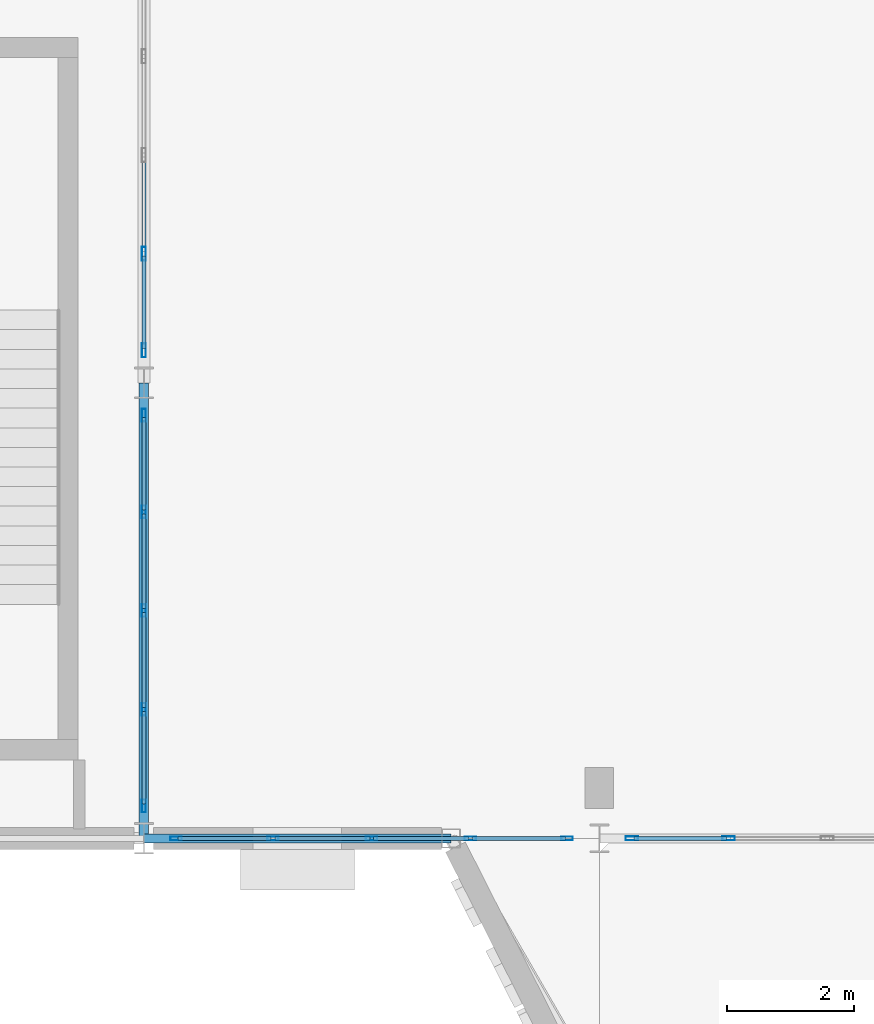
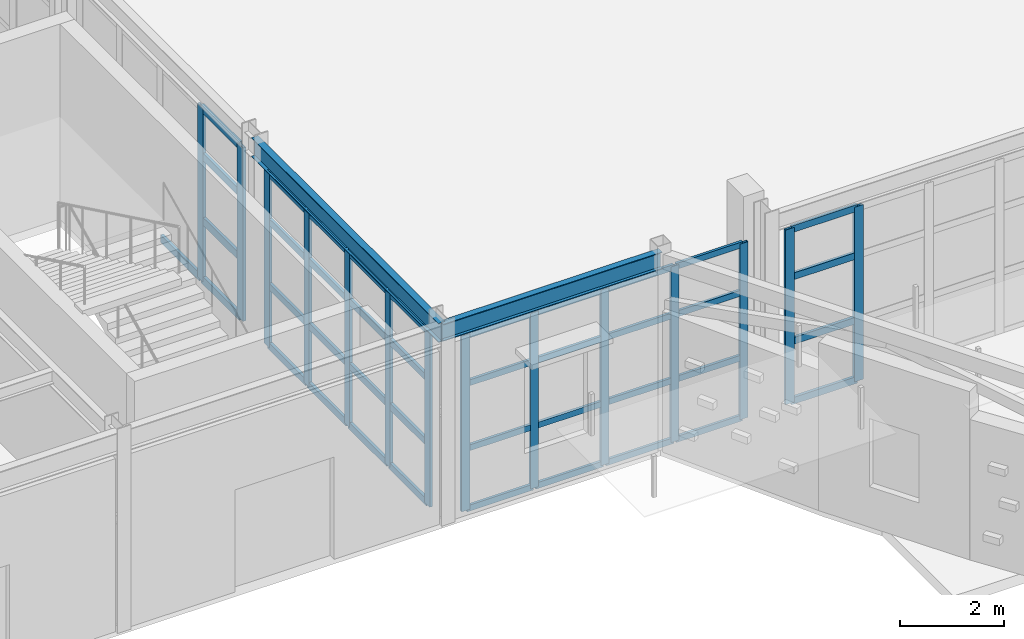
# One storey, part 19 of 83: 55 members, 2 beams, 4 elements without a shape of their own.
"""IFC4 building model written with IfcOpenShell, lengths in metres."""

from ifc_helpers import new_model, si_unit, direction, frame, origin, origin_2d, place, context, subcontext, project, spatial, hollow_rectangle, i_section, extrude, material, layer, layer_set, material_profile, profile_set, type_object, element, aggregate, save


model = new_model("IFC4")

# Units and contexts
model_context = context("Model", 3, precision=1e-05, world=origin(), true_north=direction((0.0, 1.0)))
body_context = subcontext(model_context, "Body", "Model", "MODEL_VIEW")
ifc_project = project(units=[si_unit("LENGTHUNIT", "METRE"), si_unit("AREAUNIT", "SQUARE_METRE"), si_unit("VOLUMEUNIT", "CUBIC_METRE"), si_unit("PLANEANGLEUNIT", "RADIAN"), si_unit("MASSUNIT", "GRAM", prefix="KILO")], contexts=[model_context])

# Site, building, storey
site_placement = place(None, origin())
site = spatial("IfcSite", under=ifc_project, at=site_placement, CompositionType="ELEMENT")
building_placement = place(site_placement, origin())
building = spatial("IfcBuilding", under=site, at=building_placement, Name="Solvadek Multi-Sports Hall", CompositionType="ELEMENT")
storey_placement = place(building_placement, origin())
storey = spatial("IfcBuildingStorey", under=building, at=storey_placement, Name="L00", CompositionType="ELEMENT", Elevation=0.0)

# Curtain wall, members
ifc_material_1 = material(Name="Anodised aluminium", Category="aluminium")
ifc_layer_1 = layer(ifc_material_1, 0.159912109375, Name="Anodised aluminium")
ifc_layer_set_1 = layer_set([ifc_layer_1], Name="Anodised aluminium")
curtain_wall_type_1 = type_object("IfcCurtainWallType", Name="ENV-CW-624X412", PredefinedType="USERDEFINED", material=ifc_layer_set_1)
curtain_wall_1_placement = place(storey_placement, origin())
curtain_wall_1 = element("IfcCurtainWall", 1, at=curtain_wall_1_placement, inside=storey, type_object=curtain_wall_type_1, Name="L00 Perimeter Bay Curtain Wall #152", ObjectType="CURTAIN WALL", PredefinedType="USERDEFINED")
ifc_material_profile_1 = material_profile(ifc_material_1, hollow_rectangle(XDim=0.06005859375, YDim=0.179931640625, WallThickness=0.00390625, at=origin_2d()), Name="ALU-M 180x60x4")
ifc_profile_set_1 = profile_set([ifc_material_profile_1], Name="Anodised aluminium")
member_type_1 = type_object("IfcMemberType", Name="ENV-CWM-02", PredefinedType="MULLION", material=ifc_profile_set_1)
member_1_placement = place(storey_placement, frame((22.110107421875, 20.39990234375, 0.0), z_axis=(0.0, 0.0, 1.0), x_axis=(0.0, 1.0, 0.0)))
member_1 = element("IfcMember", 2, at=member_1_placement, type_object=member_type_1, Name="CW-38 mullion 1", PredefinedType="MULLION", context=body_context, shape_type="SweptSolid", body=[
    extrude(hollow_rectangle(XDim=0.06005859375, YDim=0.179931640625, WallThickness=0.00390625, at=origin_2d()), origin(), (0.0, 0.0, 1.0), 4.125),
])
member_2_placement = place(storey_placement, frame((23.639892578125, 20.39990234375, 0.0), z_axis=(0.0, 0.0, 1.0), x_axis=(0.0, 1.0, 0.0)))
member_2 = element("IfcMember", 3, at=member_2_placement, type_object=member_type_1, Name="CW-38 mullion 2", PredefinedType="MULLION", context=body_context, shape_type="SweptSolid", body=[
    extrude(hollow_rectangle(XDim=0.06005859375, YDim=0.179931640625, WallThickness=0.00390625, at=origin_2d()), origin(), (0.0, 0.0, 1.0), 4.125),
])
member_3_placement = place(storey_placement, frame((25.199951171875, 20.39990234375, 0.0), z_axis=(0.0, 0.0, 1.0), x_axis=(0.0, 1.0, 0.0)))
member_3 = element("IfcMember", 4, at=member_3_placement, type_object=member_type_1, Name="CW-38 mullion 3", PredefinedType="MULLION", context=body_context, shape_type="SweptSolid", body=[
    extrude(hollow_rectangle(XDim=0.06005859375, YDim=0.179931640625, WallThickness=0.00390625, at=origin_2d()), origin(), (0.0, 0.0, 1.0), 4.125),
])
member_4_placement = place(storey_placement, frame((26.760009765625, 20.39990234375, 0.0), z_axis=(0.0, 0.0, 1.0), x_axis=(0.0, 1.0, 0.0)))
member_4 = element("IfcMember", 5, at=member_4_placement, type_object=member_type_1, Name="CW-38 mullion 4", PredefinedType="MULLION", context=body_context, shape_type="SweptSolid", body=[
    extrude(hollow_rectangle(XDim=0.06005859375, YDim=0.179931640625, WallThickness=0.00390625, at=origin_2d()), origin(), (0.0, 0.0, 1.0), 4.125),
])
member_5_placement = place(storey_placement, frame((28.2900390625, 20.39990234375, 0.0), z_axis=(0.0, 0.0, 1.0), x_axis=(0.0, 1.0, 0.0)))
member_5 = element("IfcMember", 6, at=member_5_placement, type_object=member_type_1, Name="CW-38 mullion 5", PredefinedType="MULLION", context=body_context, shape_type="SweptSolid", body=[
    extrude(hollow_rectangle(XDim=0.06005859375, YDim=0.179931640625, WallThickness=0.00390625, at=origin_2d()), origin(), (0.0, 0.0, 1.0), 4.125),
])

ifc_layer_2 = layer(ifc_material_1, 0.159912109375, Name="Anodised aluminium")
ifc_layer_set_2 = layer_set([ifc_layer_2], Name="Anodised aluminium")
curtain_wall_type_2 = type_object("IfcCurtainWallType", Name="ENV-CW-624X410", PredefinedType="USERDEFINED", material=ifc_layer_set_2)
curtain_wall_2_placement = place(storey_placement, origin())
curtain_wall_2 = element("IfcCurtainWall", 7, at=curtain_wall_2_placement, inside=storey, type_object=curtain_wall_type_2, Name="L00 Perimeter Bay Curtain Wall #158", ObjectType="CURTAIN WALL", PredefinedType="USERDEFINED")
ifc_material_profile_2 = material_profile(ifc_material_1, hollow_rectangle(XDim=0.06494140625, YDim=0.199951171875, WallThickness=0.0048828125, at=origin_2d()), Name="ALU-M 200x65x5")
ifc_profile_set_2 = profile_set([ifc_material_profile_2], Name="Anodised aluminium")
member_type_2 = type_object("IfcMemberType", Name="ENV-CWM-03", PredefinedType="MULLION", material=ifc_profile_set_2)
member_6_placement = place(storey_placement, frame((29.3125, 20.39990234375, 0.0), z_axis=(0.0, 0.0, 1.0), x_axis=(0.0, 1.0, 0.0)))
member_6 = element("IfcMember", 8, at=member_6_placement, type_object=member_type_2, Name="CW-39 mullion 1", PredefinedType="MULLION", context=body_context, shape_type="SweptSolid", body=[
    extrude(hollow_rectangle(XDim=0.06494140625, YDim=0.199951171875, WallThickness=0.0048828125, at=origin_2d()), origin(), (0.0, 0.0, 1.0), 4.10009765625),
])
member_7_placement = place(storey_placement, frame((30.840087890625, 20.39990234375, 0.0), z_axis=(0.0, 0.0, 1.0), x_axis=(0.0, 1.0, 0.0)))
member_7 = element("IfcMember", 9, at=member_7_placement, type_object=member_type_2, Name="CW-39 mullion 2", PredefinedType="MULLION", context=body_context, shape_type="SweptSolid", body=[
    extrude(hollow_rectangle(XDim=0.06494140625, YDim=0.199951171875, WallThickness=0.0048828125, at=origin_2d()), origin(), (0.0, 0.0, 1.0), 4.10009765625),
])

curtain_wall_3_placement = place(storey_placement, origin())
curtain_wall_3 = element("IfcCurtainWall", 10, at=curtain_wall_3_placement, inside=storey, type_object=curtain_wall_type_2, Name="L00 Perimeter Bay Curtain Wall #180", ObjectType="CURTAIN WALL", PredefinedType="USERDEFINED")
member_8_placement = place(storey_placement, frame((21.60009765625, 20.91259765625, 0.0), z_axis=(0.0, 0.0, 1.0), x_axis=(-1.0, 0.0, 0.0)))
member_8 = element("IfcMember", 11, at=member_8_placement, type_object=member_type_2, Name="CW-39 mullion 1", PredefinedType="MULLION", context=body_context, shape_type="SweptSolid", body=[
    extrude(hollow_rectangle(XDim=0.06494140625, YDim=0.199951171875, WallThickness=0.0048828125, at=origin_2d()), origin(), (0.0, 0.0, 1.0), 4.10009765625),
])
member_9_placement = place(storey_placement, frame((21.60009765625, 22.43994140625, 0.0), z_axis=(0.0, 0.0, 1.0), x_axis=(-1.0, 0.0, 0.0)))
member_9 = element("IfcMember", 12, at=member_9_placement, type_object=member_type_2, Name="CW-39 mullion 2", PredefinedType="MULLION", context=body_context, shape_type="SweptSolid", body=[
    extrude(hollow_rectangle(XDim=0.06494140625, YDim=0.199951171875, WallThickness=0.0048828125, at=origin_2d()), origin(), (0.0, 0.0, 1.0), 4.10009765625),
])
member_10_placement = place(storey_placement, frame((21.60009765625, 24.0, 0.0), z_axis=(0.0, 0.0, 1.0), x_axis=(-1.0, 0.0, 0.0)))
member_10 = element("IfcMember", 13, at=member_10_placement, type_object=member_type_2, Name="CW-39 mullion 3", PredefinedType="MULLION", context=body_context, shape_type="SweptSolid", body=[
    extrude(hollow_rectangle(XDim=0.06494140625, YDim=0.199951171875, WallThickness=0.0048828125, at=origin_2d()), origin(), (0.0, 0.0, 1.0), 4.10009765625),
])
member_11_placement = place(storey_placement, frame((21.60009765625, 25.56005859375, 0.0), z_axis=(0.0, 0.0, 1.0), x_axis=(-1.0, 0.0, 0.0)))
member_11 = element("IfcMember", 14, at=member_11_placement, type_object=member_type_2, Name="CW-39 mullion 4", PredefinedType="MULLION", context=body_context, shape_type="SweptSolid", body=[
    extrude(hollow_rectangle(XDim=0.06494140625, YDim=0.199951171875, WallThickness=0.0048828125, at=origin_2d()), origin(), (0.0, 0.0, 1.0), 4.10009765625),
])
member_12_placement = place(storey_placement, frame((21.60009765625, 27.08740234375, 0.0), z_axis=(0.0, 0.0, 1.0), x_axis=(-1.0, 0.0, 0.0)))
member_12 = element("IfcMember", 15, at=member_12_placement, type_object=member_type_2, Name="CW-39 mullion 5", PredefinedType="MULLION", context=body_context, shape_type="SweptSolid", body=[
    extrude(hollow_rectangle(XDim=0.06494140625, YDim=0.199951171875, WallThickness=0.0048828125, at=origin_2d()), origin(), (0.0, 0.0, 1.0), 4.10009765625),
])

ifc_layer_3 = layer(ifc_material_1, 0.159912109375, Name="Anodised aluminium")
ifc_layer_set_3 = layer_set([ifc_layer_3], Name="Anodised aluminium")
curtain_wall_type_3 = type_object("IfcCurtainWallType", Name="ENV-CW-624X408", PredefinedType="USERDEFINED", material=ifc_layer_set_3)
curtain_wall_4_placement = place(storey_placement, origin())
curtain_wall_4 = element("IfcCurtainWall", 16, at=curtain_wall_4_placement, inside=storey, type_object=curtain_wall_type_3, Name="L00 Perimeter Bay Curtain Wall #186", ObjectType="CURTAIN WALL", PredefinedType="USERDEFINED")
ifc_material_profile_3 = material_profile(ifc_material_1, hollow_rectangle(XDim=0.06494140625, YDim=0.219970703125, WallThickness=0.0048828125, at=origin_2d()), Name="ALU-M 220x65x5")
ifc_profile_set_3 = profile_set([ifc_material_profile_3], Name="Anodised aluminium")
member_type_3 = type_object("IfcMemberType", Name="ENV-CWM-04", PredefinedType="MULLION", material=ifc_profile_set_3)
member_13_placement = place(storey_placement, frame((21.60009765625, 28.112548828125, 0.0), z_axis=(0.0, 0.0, 1.0), x_axis=(-1.0, 0.0, 0.0)))
member_13 = element("IfcMember", 17, at=member_13_placement, type_object=member_type_3, Name="CW-40 mullion 1", PredefinedType="MULLION", context=body_context, shape_type="SweptSolid", body=[
    extrude(hollow_rectangle(XDim=0.06494140625, YDim=0.219970703125, WallThickness=0.0048828125, at=origin_2d()), origin(), (0.0, 0.0, 1.0), 4.074951171875),
])
member_14_placement = place(storey_placement, frame((21.60009765625, 29.639892578125, 0.0), z_axis=(0.0, 0.0, 1.0), x_axis=(-1.0, 0.0, 0.0)))
member_14 = element("IfcMember", 18, at=member_14_placement, type_object=member_type_3, Name="CW-40 mullion 2", PredefinedType="MULLION", context=body_context, shape_type="SweptSolid", body=[
    extrude(hollow_rectangle(XDim=0.06494140625, YDim=0.219970703125, WallThickness=0.0048828125, at=origin_2d()), origin(), (0.0, 0.0, 1.0), 4.074951171875),
])

# Member
ifc_material_profile_4 = material_profile(ifc_material_1, hollow_rectangle(XDim=0.06005859375, YDim=0.139892578125, WallThickness=0.00390625, at=origin_2d()), Name="ALU-T 140x60x4")
ifc_profile_set_4 = profile_set([ifc_material_profile_4], Name="Anodised aluminium")
member_type_4 = type_object("IfcMemberType", Name="ENV-CWT-02", PredefinedType="USERDEFINED", material=ifc_profile_set_4)
member_15_placement = place(storey_placement, frame((22.139892578125, 20.39990234375, 0.030029296875), z_axis=(1.0, 0.0, 0.0), x_axis=(0.0, 1.0, 0.0)))
member_15 = element("IfcMember", 19, at=member_15_placement, type_object=member_type_4, Name="CW-38 transom 1.1", ObjectType="TRANSOM", PredefinedType="USERDEFINED", context=body_context, shape_type="SweptSolid", body=[
    extrude(hollow_rectangle(XDim=0.06005859375, YDim=0.139892578125, WallThickness=0.00390625, at=origin_2d()), origin(), (0.0, 0.0, 1.0), 1.47021484375),
])

member_16_placement = place(storey_placement, frame((22.139892578125, 20.39990234375, 1.444091796875), z_axis=(1.0, 0.0, 0.0), x_axis=(0.0, 1.0, 0.0)))
member_16 = element("IfcMember", 20, at=member_16_placement, type_object=member_type_4, Name="CW-38 transom 1.2", ObjectType="TRANSOM", PredefinedType="USERDEFINED", context=body_context, shape_type="SweptSolid", body=[
    extrude(hollow_rectangle(XDim=0.06005859375, YDim=0.139892578125, WallThickness=0.00390625, at=origin_2d()), origin(), (0.0, 0.0, 1.0), 1.47021484375),
])

member_17_placement = place(storey_placement, frame((22.139892578125, 20.39990234375, 2.969970703125), z_axis=(1.0, 0.0, 0.0), x_axis=(0.0, 1.0, 0.0)))
member_17 = element("IfcMember", 21, at=member_17_placement, type_object=member_type_4, Name="CW-38 transom 1.3", ObjectType="TRANSOM", PredefinedType="USERDEFINED", context=body_context, shape_type="SweptSolid", body=[
    extrude(hollow_rectangle(XDim=0.06005859375, YDim=0.139892578125, WallThickness=0.00390625, at=origin_2d()), origin(), (0.0, 0.0, 1.0), 1.47021484375),
])

member_18_placement = place(storey_placement, frame((22.139892578125, 20.39990234375, 4.094970703125), z_axis=(1.0, 0.0, 0.0), x_axis=(0.0, 1.0, 0.0)))
member_18 = element("IfcMember", 22, at=member_18_placement, type_object=member_type_4, Name="CW-38 transom 1.4", ObjectType="TRANSOM", PredefinedType="USERDEFINED", context=body_context, shape_type="SweptSolid", body=[
    extrude(hollow_rectangle(XDim=0.06005859375, YDim=0.139892578125, WallThickness=0.00390625, at=origin_2d()), origin(), (0.0, 0.0, 1.0), 1.47021484375),
])

member_19_placement = place(storey_placement, frame((23.669921875, 20.39990234375, 0.030029296875), z_axis=(1.0, 0.0, 0.0), x_axis=(0.0, 1.0, 0.0)))
member_19 = element("IfcMember", 23, at=member_19_placement, type_object=member_type_4, Name="CW-38 transom 2.1", ObjectType="TRANSOM", PredefinedType="USERDEFINED", context=body_context, shape_type="SweptSolid", body=[
    extrude(hollow_rectangle(XDim=0.06005859375, YDim=0.139892578125, WallThickness=0.00390625, at=origin_2d()), origin(), (0.0, 0.0, 1.0), 1.5),
])

member_20_placement = place(storey_placement, frame((23.669921875, 20.39990234375, 1.444091796875), z_axis=(1.0, 0.0, 0.0), x_axis=(0.0, 1.0, 0.0)))
member_20 = element("IfcMember", 24, at=member_20_placement, type_object=member_type_4, Name="CW-38 transom 2.2", ObjectType="TRANSOM", PredefinedType="USERDEFINED", context=body_context, shape_type="SweptSolid", body=[
    extrude(hollow_rectangle(XDim=0.06005859375, YDim=0.139892578125, WallThickness=0.00390625, at=origin_2d()), origin(), (0.0, 0.0, 1.0), 1.5),
])

member_21_placement = place(storey_placement, frame((23.669921875, 20.39990234375, 2.969970703125), z_axis=(1.0, 0.0, 0.0), x_axis=(0.0, 1.0, 0.0)))
member_21 = element("IfcMember", 25, at=member_21_placement, type_object=member_type_4, Name="CW-38 transom 2.3", ObjectType="TRANSOM", PredefinedType="USERDEFINED", context=body_context, shape_type="SweptSolid", body=[
    extrude(hollow_rectangle(XDim=0.06005859375, YDim=0.139892578125, WallThickness=0.00390625, at=origin_2d()), origin(), (0.0, 0.0, 1.0), 1.5),
])

member_22_placement = place(storey_placement, frame((23.669921875, 20.39990234375, 4.094970703125), z_axis=(1.0, 0.0, 0.0), x_axis=(0.0, 1.0, 0.0)))
member_22 = element("IfcMember", 26, at=member_22_placement, type_object=member_type_4, Name="CW-38 transom 2.4", ObjectType="TRANSOM", PredefinedType="USERDEFINED", context=body_context, shape_type="SweptSolid", body=[
    extrude(hollow_rectangle(XDim=0.06005859375, YDim=0.139892578125, WallThickness=0.00390625, at=origin_2d()), origin(), (0.0, 0.0, 1.0), 1.5),
])

member_23_placement = place(storey_placement, frame((25.22998046875, 20.39990234375, 0.030029296875), z_axis=(1.0, 0.0, 0.0), x_axis=(0.0, 1.0, 0.0)))
member_23 = element("IfcMember", 27, at=member_23_placement, type_object=member_type_4, Name="CW-38 transom 3.1", ObjectType="TRANSOM", PredefinedType="USERDEFINED", context=body_context, shape_type="SweptSolid", body=[
    extrude(hollow_rectangle(XDim=0.06005859375, YDim=0.139892578125, WallThickness=0.00390625, at=origin_2d()), origin(), (0.0, 0.0, 1.0), 1.5),
])

member_24_placement = place(storey_placement, frame((25.22998046875, 20.39990234375, 1.444091796875), z_axis=(1.0, 0.0, 0.0), x_axis=(0.0, 1.0, 0.0)))
member_24 = element("IfcMember", 28, at=member_24_placement, type_object=member_type_4, Name="CW-38 transom 3.2", ObjectType="TRANSOM", PredefinedType="USERDEFINED", context=body_context, shape_type="SweptSolid", body=[
    extrude(hollow_rectangle(XDim=0.06005859375, YDim=0.139892578125, WallThickness=0.00390625, at=origin_2d()), origin(), (0.0, 0.0, 1.0), 1.5),
])

member_25_placement = place(storey_placement, frame((25.22998046875, 20.39990234375, 2.969970703125), z_axis=(1.0, 0.0, 0.0), x_axis=(0.0, 1.0, 0.0)))
member_25 = element("IfcMember", 29, at=member_25_placement, type_object=member_type_4, Name="CW-38 transom 3.3", ObjectType="TRANSOM", PredefinedType="USERDEFINED", context=body_context, shape_type="SweptSolid", body=[
    extrude(hollow_rectangle(XDim=0.06005859375, YDim=0.139892578125, WallThickness=0.00390625, at=origin_2d()), origin(), (0.0, 0.0, 1.0), 1.5),
])

member_26_placement = place(storey_placement, frame((25.22998046875, 20.39990234375, 4.094970703125), z_axis=(1.0, 0.0, 0.0), x_axis=(0.0, 1.0, 0.0)))
member_26 = element("IfcMember", 30, at=member_26_placement, type_object=member_type_4, Name="CW-38 transom 3.4", ObjectType="TRANSOM", PredefinedType="USERDEFINED", context=body_context, shape_type="SweptSolid", body=[
    extrude(hollow_rectangle(XDim=0.06005859375, YDim=0.139892578125, WallThickness=0.00390625, at=origin_2d()), origin(), (0.0, 0.0, 1.0), 1.5),
])

member_27_placement = place(storey_placement, frame((26.7900390625, 20.39990234375, 0.030029296875), z_axis=(1.0, 0.0, 0.0), x_axis=(0.0, 1.0, 0.0)))
member_27 = element("IfcMember", 31, at=member_27_placement, type_object=member_type_4, Name="CW-38 transom 4.1", ObjectType="TRANSOM", PredefinedType="USERDEFINED", context=body_context, shape_type="SweptSolid", body=[
    extrude(hollow_rectangle(XDim=0.06005859375, YDim=0.139892578125, WallThickness=0.00390625, at=origin_2d()), origin(), (0.0, 0.0, 1.0), 1.469970703125),
])

member_28_placement = place(storey_placement, frame((26.7900390625, 20.39990234375, 1.444091796875), z_axis=(1.0, 0.0, 0.0), x_axis=(0.0, 1.0, 0.0)))
member_28 = element("IfcMember", 32, at=member_28_placement, type_object=member_type_4, Name="CW-38 transom 4.2", ObjectType="TRANSOM", PredefinedType="USERDEFINED", context=body_context, shape_type="SweptSolid", body=[
    extrude(hollow_rectangle(XDim=0.06005859375, YDim=0.139892578125, WallThickness=0.00390625, at=origin_2d()), origin(), (0.0, 0.0, 1.0), 1.469970703125),
])

member_29_placement = place(storey_placement, frame((26.7900390625, 20.39990234375, 2.969970703125), z_axis=(1.0, 0.0, 0.0), x_axis=(0.0, 1.0, 0.0)))
member_29 = element("IfcMember", 33, at=member_29_placement, type_object=member_type_4, Name="CW-38 transom 4.3", ObjectType="TRANSOM", PredefinedType="USERDEFINED", context=body_context, shape_type="SweptSolid", body=[
    extrude(hollow_rectangle(XDim=0.06005859375, YDim=0.139892578125, WallThickness=0.00390625, at=origin_2d()), origin(), (0.0, 0.0, 1.0), 1.469970703125),
])

member_30_placement = place(storey_placement, frame((26.7900390625, 20.39990234375, 4.094970703125), z_axis=(1.0, 0.0, 0.0), x_axis=(0.0, 1.0, 0.0)))
member_30 = element("IfcMember", 34, at=member_30_placement, type_object=member_type_4, Name="CW-38 transom 4.4", ObjectType="TRANSOM", PredefinedType="USERDEFINED", context=body_context, shape_type="SweptSolid", body=[
    extrude(hollow_rectangle(XDim=0.06005859375, YDim=0.139892578125, WallThickness=0.00390625, at=origin_2d()), origin(), (0.0, 0.0, 1.0), 1.469970703125),
])

aggregate(curtain_wall_1, [member_1, member_2, member_3, member_4, member_5, member_15, member_16, member_17, member_18, member_19, member_20, member_21, member_22, member_23, member_24, member_25, member_26, member_27, member_28, member_29, member_30])

ifc_material_profile_5 = material_profile(ifc_material_1, hollow_rectangle(XDim=0.06494140625, YDim=0.159912109375, WallThickness=0.00390625, at=origin_2d()), Name="ALU-T 160x65x4")
ifc_profile_set_5 = profile_set([ifc_material_profile_5], Name="Anodised aluminium")
member_type_5 = type_object("IfcMemberType", Name="ENV-CWT-03", PredefinedType="USERDEFINED", material=ifc_profile_set_5)
member_31_placement = place(storey_placement, frame((29.344970703125, 20.39990234375, 0.032470703125), z_axis=(1.0, 0.0, 0.0), x_axis=(0.0, 1.0, 0.0)))
member_31 = element("IfcMember", 35, at=member_31_placement, type_object=member_type_5, Name="CW-39 transom 1.1", ObjectType="TRANSOM", PredefinedType="USERDEFINED", context=body_context, shape_type="SweptSolid", body=[
    extrude(hollow_rectangle(XDim=0.06494140625, YDim=0.159912109375, WallThickness=0.00390625, at=origin_2d()), origin(), (0.0, 0.0, 1.0), 1.462646484375),
])

member_32_placement = place(storey_placement, frame((29.344970703125, 20.39990234375, 1.43505859375), z_axis=(1.0, 0.0, 0.0), x_axis=(0.0, 1.0, 0.0)))
member_32 = element("IfcMember", 36, at=member_32_placement, type_object=member_type_5, Name="CW-39 transom 1.2", ObjectType="TRANSOM", PredefinedType="USERDEFINED", context=body_context, shape_type="SweptSolid", body=[
    extrude(hollow_rectangle(XDim=0.06494140625, YDim=0.159912109375, WallThickness=0.00390625, at=origin_2d()), origin(), (0.0, 0.0, 1.0), 1.462646484375),
])

member_33_placement = place(storey_placement, frame((29.344970703125, 20.39990234375, 2.951904296875), z_axis=(1.0, 0.0, 0.0), x_axis=(0.0, 1.0, 0.0)))
member_33 = element("IfcMember", 37, at=member_33_placement, type_object=member_type_5, Name="CW-39 transom 1.3", ObjectType="TRANSOM", PredefinedType="USERDEFINED", context=body_context, shape_type="SweptSolid", body=[
    extrude(hollow_rectangle(XDim=0.06494140625, YDim=0.159912109375, WallThickness=0.00390625, at=origin_2d()), origin(), (0.0, 0.0, 1.0), 1.462646484375),
])

member_34_placement = place(storey_placement, frame((29.344970703125, 20.39990234375, 4.0673828125), z_axis=(1.0, 0.0, 0.0), x_axis=(0.0, 1.0, 0.0)))
member_34 = element("IfcMember", 38, at=member_34_placement, type_object=member_type_5, Name="CW-39 transom 1.4", ObjectType="TRANSOM", PredefinedType="USERDEFINED", context=body_context, shape_type="SweptSolid", body=[
    extrude(hollow_rectangle(XDim=0.06494140625, YDim=0.159912109375, WallThickness=0.00390625, at=origin_2d()), origin(), (0.0, 0.0, 1.0), 1.462646484375),
])

aggregate(curtain_wall_2, [member_6, member_7, member_31, member_32, member_33, member_34])

member_35_placement = place(storey_placement, frame((21.60009765625, 20.945068359375, 0.032470703125), z_axis=(0.0, 1.0, 0.0), x_axis=(-1.0, 0.0, 0.0)))
member_35 = element("IfcMember", 39, at=member_35_placement, type_object=member_type_5, Name="CW-39 transom 1.1", ObjectType="TRANSOM", PredefinedType="USERDEFINED", context=body_context, shape_type="SweptSolid", body=[
    extrude(hollow_rectangle(XDim=0.06494140625, YDim=0.159912109375, WallThickness=0.00390625, at=origin_2d()), origin(), (0.0, 0.0, 1.0), 1.46240234375),
])

member_36_placement = place(storey_placement, frame((21.60009765625, 20.945068359375, 1.43505859375), z_axis=(0.0, 1.0, 0.0), x_axis=(-1.0, 0.0, 0.0)))
member_36 = element("IfcMember", 40, at=member_36_placement, type_object=member_type_5, Name="CW-39 transom 1.2", ObjectType="TRANSOM", PredefinedType="USERDEFINED", context=body_context, shape_type="SweptSolid", body=[
    extrude(hollow_rectangle(XDim=0.06494140625, YDim=0.159912109375, WallThickness=0.00390625, at=origin_2d()), origin(), (0.0, 0.0, 1.0), 1.46240234375),
])

member_37_placement = place(storey_placement, frame((21.60009765625, 20.945068359375, 2.951904296875), z_axis=(0.0, 1.0, 0.0), x_axis=(-1.0, 0.0, 0.0)))
member_37 = element("IfcMember", 41, at=member_37_placement, type_object=member_type_5, Name="CW-39 transom 1.3", ObjectType="TRANSOM", PredefinedType="USERDEFINED", context=body_context, shape_type="SweptSolid", body=[
    extrude(hollow_rectangle(XDim=0.06494140625, YDim=0.159912109375, WallThickness=0.00390625, at=origin_2d()), origin(), (0.0, 0.0, 1.0), 1.46240234375),
])

member_38_placement = place(storey_placement, frame((21.60009765625, 20.945068359375, 4.0673828125), z_axis=(0.0, 1.0, 0.0), x_axis=(-1.0, 0.0, 0.0)))
member_38 = element("IfcMember", 42, at=member_38_placement, type_object=member_type_5, Name="CW-39 transom 1.4", ObjectType="TRANSOM", PredefinedType="USERDEFINED", context=body_context, shape_type="SweptSolid", body=[
    extrude(hollow_rectangle(XDim=0.06494140625, YDim=0.159912109375, WallThickness=0.00390625, at=origin_2d()), origin(), (0.0, 0.0, 1.0), 1.46240234375),
])

member_39_placement = place(storey_placement, frame((21.60009765625, 22.472412109375, 0.032470703125), z_axis=(0.0, 1.0, 0.0), x_axis=(-1.0, 0.0, 0.0)))
member_39 = element("IfcMember", 43, at=member_39_placement, type_object=member_type_5, Name="CW-39 transom 2.1", ObjectType="TRANSOM", PredefinedType="USERDEFINED", context=body_context, shape_type="SweptSolid", body=[
    extrude(hollow_rectangle(XDim=0.06494140625, YDim=0.159912109375, WallThickness=0.00390625, at=origin_2d()), origin(), (0.0, 0.0, 1.0), 1.4951171875),
])

member_40_placement = place(storey_placement, frame((21.60009765625, 22.472412109375, 1.43505859375), z_axis=(0.0, 1.0, 0.0), x_axis=(-1.0, 0.0, 0.0)))
member_40 = element("IfcMember", 44, at=member_40_placement, type_object=member_type_5, Name="CW-39 transom 2.2", ObjectType="TRANSOM", PredefinedType="USERDEFINED", context=body_context, shape_type="SweptSolid", body=[
    extrude(hollow_rectangle(XDim=0.06494140625, YDim=0.159912109375, WallThickness=0.00390625, at=origin_2d()), origin(), (0.0, 0.0, 1.0), 1.4951171875),
])

member_41_placement = place(storey_placement, frame((21.60009765625, 22.472412109375, 2.951904296875), z_axis=(0.0, 1.0, 0.0), x_axis=(-1.0, 0.0, 0.0)))
member_41 = element("IfcMember", 45, at=member_41_placement, type_object=member_type_5, Name="CW-39 transom 2.3", ObjectType="TRANSOM", PredefinedType="USERDEFINED", context=body_context, shape_type="SweptSolid", body=[
    extrude(hollow_rectangle(XDim=0.06494140625, YDim=0.159912109375, WallThickness=0.00390625, at=origin_2d()), origin(), (0.0, 0.0, 1.0), 1.4951171875),
])

member_42_placement = place(storey_placement, frame((21.60009765625, 22.472412109375, 4.0673828125), z_axis=(0.0, 1.0, 0.0), x_axis=(-1.0, 0.0, 0.0)))
member_42 = element("IfcMember", 46, at=member_42_placement, type_object=member_type_5, Name="CW-39 transom 2.4", ObjectType="TRANSOM", PredefinedType="USERDEFINED", context=body_context, shape_type="SweptSolid", body=[
    extrude(hollow_rectangle(XDim=0.06494140625, YDim=0.159912109375, WallThickness=0.00390625, at=origin_2d()), origin(), (0.0, 0.0, 1.0), 1.4951171875),
])

member_43_placement = place(storey_placement, frame((21.60009765625, 24.032470703125, 0.032470703125), z_axis=(0.0, 1.0, 0.0), x_axis=(-1.0, 0.0, 0.0)))
member_43 = element("IfcMember", 47, at=member_43_placement, type_object=member_type_5, Name="CW-39 transom 3.1", ObjectType="TRANSOM", PredefinedType="USERDEFINED", context=body_context, shape_type="SweptSolid", body=[
    extrude(hollow_rectangle(XDim=0.06494140625, YDim=0.159912109375, WallThickness=0.00390625, at=origin_2d()), origin(), (0.0, 0.0, 1.0), 1.4951171875),
])

member_44_placement = place(storey_placement, frame((21.60009765625, 24.032470703125, 1.43505859375), z_axis=(0.0, 1.0, 0.0), x_axis=(-1.0, 0.0, 0.0)))
member_44 = element("IfcMember", 48, at=member_44_placement, type_object=member_type_5, Name="CW-39 transom 3.2", ObjectType="TRANSOM", PredefinedType="USERDEFINED", context=body_context, shape_type="SweptSolid", body=[
    extrude(hollow_rectangle(XDim=0.06494140625, YDim=0.159912109375, WallThickness=0.00390625, at=origin_2d()), origin(), (0.0, 0.0, 1.0), 1.4951171875),
])

member_45_placement = place(storey_placement, frame((21.60009765625, 24.032470703125, 2.951904296875), z_axis=(0.0, 1.0, 0.0), x_axis=(-1.0, 0.0, 0.0)))
member_45 = element("IfcMember", 49, at=member_45_placement, type_object=member_type_5, Name="CW-39 transom 3.3", ObjectType="TRANSOM", PredefinedType="USERDEFINED", context=body_context, shape_type="SweptSolid", body=[
    extrude(hollow_rectangle(XDim=0.06494140625, YDim=0.159912109375, WallThickness=0.00390625, at=origin_2d()), origin(), (0.0, 0.0, 1.0), 1.4951171875),
])

member_46_placement = place(storey_placement, frame((21.60009765625, 24.032470703125, 4.0673828125), z_axis=(0.0, 1.0, 0.0), x_axis=(-1.0, 0.0, 0.0)))
member_46 = element("IfcMember", 50, at=member_46_placement, type_object=member_type_5, Name="CW-39 transom 3.4", ObjectType="TRANSOM", PredefinedType="USERDEFINED", context=body_context, shape_type="SweptSolid", body=[
    extrude(hollow_rectangle(XDim=0.06494140625, YDim=0.159912109375, WallThickness=0.00390625, at=origin_2d()), origin(), (0.0, 0.0, 1.0), 1.4951171875),
])

member_47_placement = place(storey_placement, frame((21.60009765625, 25.592529296875, 0.032470703125), z_axis=(0.0, 1.0, 0.0), x_axis=(-1.0, 0.0, 0.0)))
member_47 = element("IfcMember", 51, at=member_47_placement, type_object=member_type_5, Name="CW-39 transom 4.1", ObjectType="TRANSOM", PredefinedType="USERDEFINED", context=body_context, shape_type="SweptSolid", body=[
    extrude(hollow_rectangle(XDim=0.06494140625, YDim=0.159912109375, WallThickness=0.00390625, at=origin_2d()), origin(), (0.0, 0.0, 1.0), 1.46240234375),
])

member_48_placement = place(storey_placement, frame((21.60009765625, 25.592529296875, 1.43505859375), z_axis=(0.0, 1.0, 0.0), x_axis=(-1.0, 0.0, 0.0)))
member_48 = element("IfcMember", 52, at=member_48_placement, type_object=member_type_5, Name="CW-39 transom 4.2", ObjectType="TRANSOM", PredefinedType="USERDEFINED", context=body_context, shape_type="SweptSolid", body=[
    extrude(hollow_rectangle(XDim=0.06494140625, YDim=0.159912109375, WallThickness=0.00390625, at=origin_2d()), origin(), (0.0, 0.0, 1.0), 1.46240234375),
])

member_49_placement = place(storey_placement, frame((21.60009765625, 25.592529296875, 2.951904296875), z_axis=(0.0, 1.0, 0.0), x_axis=(-1.0, 0.0, 0.0)))
member_49 = element("IfcMember", 53, at=member_49_placement, type_object=member_type_5, Name="CW-39 transom 4.3", ObjectType="TRANSOM", PredefinedType="USERDEFINED", context=body_context, shape_type="SweptSolid", body=[
    extrude(hollow_rectangle(XDim=0.06494140625, YDim=0.159912109375, WallThickness=0.00390625, at=origin_2d()), origin(), (0.0, 0.0, 1.0), 1.46240234375),
])

member_50_placement = place(storey_placement, frame((21.60009765625, 25.592529296875, 4.0673828125), z_axis=(0.0, 1.0, 0.0), x_axis=(-1.0, 0.0, 0.0)))
member_50 = element("IfcMember", 54, at=member_50_placement, type_object=member_type_5, Name="CW-39 transom 4.4", ObjectType="TRANSOM", PredefinedType="USERDEFINED", context=body_context, shape_type="SweptSolid", body=[
    extrude(hollow_rectangle(XDim=0.06494140625, YDim=0.159912109375, WallThickness=0.00390625, at=origin_2d()), origin(), (0.0, 0.0, 1.0), 1.46240234375),
])

aggregate(curtain_wall_3, [member_8, member_9, member_10, member_11, member_12, member_35, member_36, member_37, member_38, member_39, member_40, member_41, member_42, member_43, member_44, member_45, member_46, member_47, member_48, member_49, member_50])

ifc_material_profile_6 = material_profile(ifc_material_1, hollow_rectangle(XDim=0.06494140625, YDim=0.179931640625, WallThickness=0.0048828125, at=origin_2d()), Name="ALU-T 180x65x5")
ifc_profile_set_6 = profile_set([ifc_material_profile_6], Name="Anodised aluminium")
member_type_6 = type_object("IfcMemberType", Name="ENV-CWT-04", PredefinedType="USERDEFINED", material=ifc_profile_set_6)
member_51_placement = place(storey_placement, frame((21.60009765625, 28.14501953125, 0.032470703125), z_axis=(0.0, 1.0, 0.0), x_axis=(-1.0, 0.0, 0.0)))
member_51 = element("IfcMember", 55, at=member_51_placement, type_object=member_type_6, Name="CW-40 transom 1.1", ObjectType="TRANSOM", PredefinedType="USERDEFINED", context=body_context, shape_type="SweptSolid", body=[
    extrude(hollow_rectangle(XDim=0.06494140625, YDim=0.179931640625, WallThickness=0.0048828125, at=origin_2d()), origin(), (0.0, 0.0, 1.0), 1.46240234375),
])

member_52_placement = place(storey_placement, frame((21.60009765625, 28.14501953125, 1.426025390625), z_axis=(0.0, 1.0, 0.0), x_axis=(-1.0, 0.0, 0.0)))
member_52 = element("IfcMember", 56, at=member_52_placement, type_object=member_type_6, Name="CW-40 transom 1.2", ObjectType="TRANSOM", PredefinedType="USERDEFINED", context=body_context, shape_type="SweptSolid", body=[
    extrude(hollow_rectangle(XDim=0.06494140625, YDim=0.179931640625, WallThickness=0.0048828125, at=origin_2d()), origin(), (0.0, 0.0, 1.0), 1.46240234375),
])

member_53_placement = place(storey_placement, frame((21.60009765625, 28.14501953125, 2.93408203125), z_axis=(0.0, 1.0, 0.0), x_axis=(-1.0, 0.0, 0.0)))
member_53 = element("IfcMember", 57, at=member_53_placement, type_object=member_type_6, Name="CW-40 transom 1.3", ObjectType="TRANSOM", PredefinedType="USERDEFINED", context=body_context, shape_type="SweptSolid", body=[
    extrude(hollow_rectangle(XDim=0.06494140625, YDim=0.179931640625, WallThickness=0.0048828125, at=origin_2d()), origin(), (0.0, 0.0, 1.0), 1.46240234375),
])

member_54_placement = place(storey_placement, frame((21.60009765625, 28.14501953125, 4.04248046875), z_axis=(0.0, 1.0, 0.0), x_axis=(-1.0, 0.0, 0.0)))
member_54 = element("IfcMember", 58, at=member_54_placement, type_object=member_type_6, Name="CW-40 transom 1.4", ObjectType="TRANSOM", PredefinedType="USERDEFINED", context=body_context, shape_type="SweptSolid", body=[
    extrude(hollow_rectangle(XDim=0.06494140625, YDim=0.179931640625, WallThickness=0.0048828125, at=origin_2d()), origin(), (0.0, 0.0, 1.0), 1.46240234375),
])

member_55_placement = place(storey_placement, frame((21.60009765625, 29.672607421875, 0.032470703125), z_axis=(0.0, 1.0, 0.0), x_axis=(-1.0, 0.0, 0.0)))
member_55 = element("IfcMember", 59, at=member_55_placement, type_object=member_type_6, Name="CW-40 transom 2.1", ObjectType="TRANSOM", PredefinedType="USERDEFINED", context=body_context, shape_type="SweptSolid", body=[
    extrude(hollow_rectangle(XDim=0.06494140625, YDim=0.179931640625, WallThickness=0.0048828125, at=origin_2d()), origin(), (0.0, 0.0, 1.0), 1.494873046875),
])

aggregate(curtain_wall_4, [member_13, member_14, member_51, member_52, member_53, member_54, member_55])

# Beams
ifc_material_2 = material(Name="Steel E350 (350 MPa)", Category="steel")
ifc_material_profile_7 = material_profile(ifc_material_2, i_section(OverallWidth=0.139892578125, OverallDepth=0.39990234375, WebThickness=0.0087890625, FlangeThickness=0.01611328125, at=origin_2d()), Name="ISMB 400")
ifc_profile_set_7 = profile_set([ifc_material_profile_7], Name="Steel E350 (350 MPa)")
beam_type_1 = type_object("IfcBeamType", Name="STR-BM-ISMB400", PredefinedType="BEAM", material=ifc_profile_set_7)
beam_1_placement = place(storey_placement, frame((21.60009765625, 20.39990234375, 4.3798828125), z_axis=(1.0, 0.0, 0.0), x_axis=(0.0, 1.0, 0.0)))
element("IfcBeam", 60, at=beam_1_placement, inside=storey, type_object=beam_type_1, Name="L00 Girder B-10 #559", PredefinedType="BEAM", context=body_context, shape_type="SweptSolid", body=[
    extrude(i_section(OverallWidth=0.139892578125, OverallDepth=0.39990234375, WebThickness=0.0087890625, FlangeThickness=0.01611328125, at=origin_2d()), origin(), (0.0, 0.0, 1.0), 4.8544921875),
])
ifc_material_profile_8 = material_profile(ifc_material_2, i_section(OverallWidth=0.14990234375, OverallDepth=0.449951171875, WebThickness=0.009521484375, FlangeThickness=0.017333984375, at=origin_2d()), Name="ISMB 450")
ifc_profile_set_8 = profile_set([ifc_material_profile_8], Name="Steel E350 (350 MPa)")
beam_type_2 = type_object("IfcBeamType", Name="STR-BM-ISMB450", PredefinedType="BEAM", material=ifc_profile_set_8)
beam_2_placement = place(storey_placement, frame((21.60009765625, 20.39990234375, 4.35498046875), z_axis=(0.0, 1.0, 0.0), x_axis=(-1.0, 0.0, 0.0)))
element("IfcBeam", 61, at=beam_2_placement, inside=storey, type_object=beam_type_2, Name="L00 Girder B-09 #763", PredefinedType="BEAM", context=body_context, shape_type="SweptSolid", body=[
    extrude(i_section(OverallWidth=0.14990234375, OverallDepth=0.449951171875, WebThickness=0.009521484375, FlangeThickness=0.017333984375, at=origin_2d()), origin(), (0.0, 0.0, 1.0), 7.2001953125),
])

save(model, "model.ifc")
